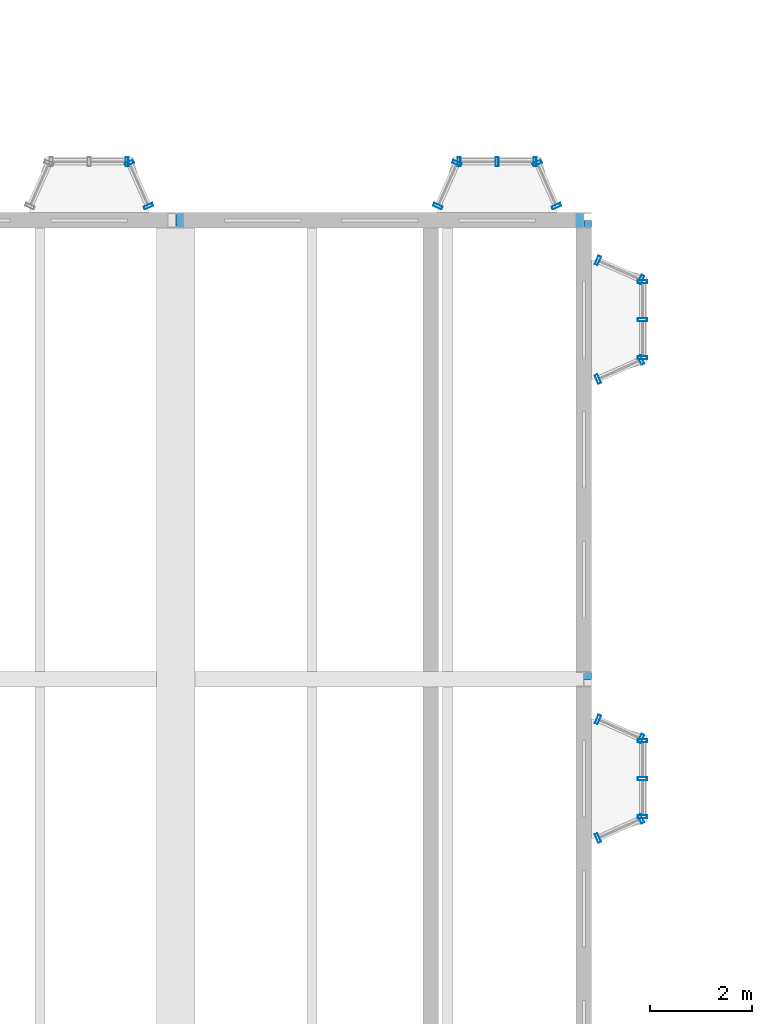
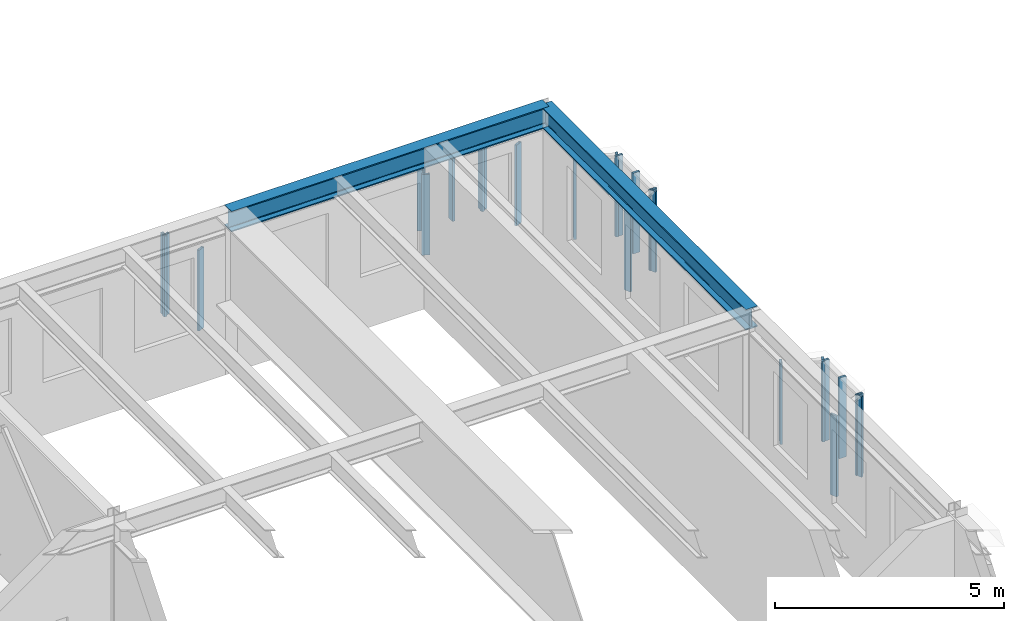
# One storey, part 24 of 153: 24 members, 2 beams, 11 elements without a shape of their own.
"""IFC4 building model written with IfcOpenShell, lengths in metres."""

from ifc_helpers import new_model, si_unit, direction, frame, origin, origin_2d, place, context, subcontext, project, spatial, hollow_rectangle, i_section, extrude, material, material_profile, profile_set, type_object, element, aggregate, save


model = new_model("IFC4")

# Units and contexts
model_context = context("Model", 3, precision=1e-05, world=origin(), true_north=direction((0.0, 1.0)))
body_context = subcontext(model_context, "Body", "Model", "MODEL_VIEW")
ifc_project = project(units=[si_unit("LENGTHUNIT", "METRE"), si_unit("AREAUNIT", "SQUARE_METRE"), si_unit("VOLUMEUNIT", "CUBIC_METRE"), si_unit("PLANEANGLEUNIT", "RADIAN"), si_unit("MASSUNIT", "GRAM", prefix="KILO")], contexts=[model_context])

# Site, building, storey
site_placement = place(None, origin())
site = spatial("IfcSite", under=ifc_project, at=site_placement, CompositionType="ELEMENT")
building_placement = place(site_placement, origin())
building = spatial("IfcBuilding", under=site, at=building_placement, Name="Kallimachos Central Library", CompositionType="ELEMENT")
storey_placement = place(building_placement, frame((0.0, 0.0, 5.39990234375)))
storey = spatial("IfcBuildingStorey", under=building, at=storey_placement, Name="L01", CompositionType="ELEMENT", Elevation=5.39990234375)

# Curtain wall, members
ifc_material_1 = material(Name="Laminated glass in anodised aluminium", Category="aluminium")
curtain_wall_type = type_object("IfcCurtainWallType", Name="Foyer curtain wall", PredefinedType="NOTDEFINED", material=ifc_material_1)
curtain_wall_1_placement = place(storey_placement, origin())
curtain_wall_1 = element("IfcCurtainWall", 1, at=curtain_wall_1_placement, inside=storey, type_object=curtain_wall_type, Name="Tribune bay return west", PredefinedType="NOTDEFINED")
ifc_material_2 = material(Name="Anodised aluminium", Category="aluminium")
ifc_material_profile_1 = material_profile(ifc_material_2, hollow_rectangle(XDim=0.06005859375, YDim=0.179931640625, WallThickness=0.00390625, at=origin_2d()), Name="ALU MULLION 60x180")
ifc_profile_set_1 = profile_set([ifc_material_profile_1], Name="Anodised aluminium")
member_type = type_object("IfcMemberType", Name="ALU MULLION 60x180 mullion", PredefinedType="MULLION", material=ifc_profile_set_1)
member_1_placement = place(storey_placement, frame((27.13720703125, 36.27734375, 1.10009765625), z_axis=(0.0, 0.0, 1.0), x_axis=(0.40613846606, 0.913811548617, 0.0)))
member_1 = element("IfcMember", 2, at=member_1_placement, type_object=member_type, Name="CW mullion 1", PredefinedType="MULLION", context=body_context, shape_type="SweptSolid", body=[
    extrude(hollow_rectangle(XDim=0.06005859375, YDim=0.179931640625, WallThickness=0.00390625, at=origin_2d()), origin(), (0.0, 0.0, 1.0), 2.14990234375),
])
member_2_placement = place(storey_placement, frame((27.5126953125, 37.12255859375, 1.10009765625), z_axis=(0.0, 0.0, 1.0), x_axis=(0.40613846606, 0.913811548617, 0.0)))
member_2 = element("IfcMember", 3, at=member_2_placement, type_object=member_type, Name="CW mullion 2", PredefinedType="MULLION", context=body_context, shape_type="SweptSolid", body=[
    extrude(hollow_rectangle(XDim=0.06005859375, YDim=0.179931640625, WallThickness=0.00390625, at=origin_2d()), origin(), (0.0, 0.0, 1.0), 2.14990234375),
])
aggregate(curtain_wall_1, [member_1, member_2])

curtain_wall_2_placement = place(storey_placement, origin())
curtain_wall_2 = element("IfcCurtainWall", 4, at=curtain_wall_2_placement, inside=storey, type_object=curtain_wall_type, Name="Tribune bay front", PredefinedType="NOTDEFINED")
member_3_placement = place(storey_placement, frame((27.554931640625, 37.14990234375, 1.10009765625), z_axis=(0.0, 0.0, 1.0), x_axis=(1.0, 0.0, 0.0)))
member_3 = element("IfcMember", 5, at=member_3_placement, type_object=member_type, Name="CW mullion 1", PredefinedType="MULLION", context=body_context, shape_type="SweptSolid", body=[
    extrude(hollow_rectangle(XDim=0.06005859375, YDim=0.179931640625, WallThickness=0.00390625, at=origin_2d()), origin(), (0.0, 0.0, 1.0), 2.14990234375),
])
member_4_placement = place(storey_placement, frame((28.300048828125, 37.14990234375, 1.10009765625), z_axis=(0.0, 0.0, 1.0), x_axis=(1.0, 0.0, 0.0)))
member_4 = element("IfcMember", 6, at=member_4_placement, type_object=member_type, Name="CW mullion 2", PredefinedType="MULLION", context=body_context, shape_type="SweptSolid", body=[
    extrude(hollow_rectangle(XDim=0.06005859375, YDim=0.179931640625, WallThickness=0.00390625, at=origin_2d()), origin(), (0.0, 0.0, 1.0), 2.14990234375),
])
member_5_placement = place(storey_placement, frame((29.044921875, 37.14990234375, 1.10009765625), z_axis=(0.0, 0.0, 1.0), x_axis=(1.0, 0.0, 0.0)))
member_5 = element("IfcMember", 7, at=member_5_placement, type_object=member_type, Name="CW mullion 3", PredefinedType="MULLION", context=body_context, shape_type="SweptSolid", body=[
    extrude(hollow_rectangle(XDim=0.06005859375, YDim=0.179931640625, WallThickness=0.00390625, at=origin_2d()), origin(), (0.0, 0.0, 1.0), 2.14990234375),
])
aggregate(curtain_wall_2, [member_3, member_4, member_5])

curtain_wall_3_placement = place(storey_placement, origin())
curtain_wall_3 = element("IfcCurtainWall", 8, at=curtain_wall_3_placement, inside=storey, type_object=curtain_wall_type, Name="Tribune bay return east", PredefinedType="NOTDEFINED")
member_6_placement = place(storey_placement, frame((29.087158203125, 37.12255859375, 1.10009765625), z_axis=(0.0, 0.0, 1.0), x_axis=(0.40613846606, -0.913811548617, 0.0)))
member_6 = element("IfcMember", 9, at=member_6_placement, type_object=member_type, Name="CW mullion 1", PredefinedType="MULLION", context=body_context, shape_type="SweptSolid", body=[
    extrude(hollow_rectangle(XDim=0.06005859375, YDim=0.179931640625, WallThickness=0.00390625, at=origin_2d()), origin(), (0.0, 0.0, 1.0), 2.14990234375),
])
member_7_placement = place(storey_placement, frame((29.462890625, 36.27734375, 1.10009765625), z_axis=(0.0, 0.0, 1.0), x_axis=(0.40613846606, -0.913811548617, 0.0)))
member_7 = element("IfcMember", 10, at=member_7_placement, type_object=member_type, Name="CW mullion 2", PredefinedType="MULLION", context=body_context, shape_type="SweptSolid", body=[
    extrude(hollow_rectangle(XDim=0.06005859375, YDim=0.179931640625, WallThickness=0.00390625, at=origin_2d()), origin(), (0.0, 0.0, 1.0), 2.14990234375),
])
aggregate(curtain_wall_3, [member_6, member_7])

curtain_wall_4_placement = place(storey_placement, origin())
curtain_wall_4 = element("IfcCurtainWall", 11, at=curtain_wall_4_placement, inside=storey, type_object=curtain_wall_type, Name="Tribune bay return west", PredefinedType="NOTDEFINED")
member_8_placement = place(storey_placement, frame((30.27734375, 32.88720703125, 1.10009765625), z_axis=(0.0, 0.0, 1.0), x_axis=(0.913811548617, 0.40613846606, 0.0)))
member_8 = element("IfcMember", 12, at=member_8_placement, type_object=member_type, Name="CW mullion 1", PredefinedType="MULLION", context=body_context, shape_type="SweptSolid", body=[
    extrude(hollow_rectangle(XDim=0.06005859375, YDim=0.179931640625, WallThickness=0.00390625, at=origin_2d()), origin(), (0.0, 0.0, 1.0), 2.14990234375),
])
member_9_placement = place(storey_placement, frame((31.12255859375, 33.2626953125, 1.10009765625), z_axis=(0.0, 0.0, 1.0), x_axis=(0.913811548617, 0.40613846606, 0.0)))
member_9 = element("IfcMember", 13, at=member_9_placement, type_object=member_type, Name="CW mullion 2", PredefinedType="MULLION", context=body_context, shape_type="SweptSolid", body=[
    extrude(hollow_rectangle(XDim=0.06005859375, YDim=0.179931640625, WallThickness=0.00390625, at=origin_2d()), origin(), (0.0, 0.0, 1.0), 2.14990234375),
])
aggregate(curtain_wall_4, [member_8, member_9])

curtain_wall_5_placement = place(storey_placement, origin())
curtain_wall_5 = element("IfcCurtainWall", 14, at=curtain_wall_5_placement, inside=storey, type_object=curtain_wall_type, Name="Tribune bay front", PredefinedType="NOTDEFINED")
member_10_placement = place(storey_placement, frame((31.14990234375, 33.304931640625, 1.10009765625), z_axis=(0.0, 0.0, 1.0), x_axis=(0.0, 1.0, 0.0)))
member_10 = element("IfcMember", 15, at=member_10_placement, type_object=member_type, Name="CW mullion 1", PredefinedType="MULLION", context=body_context, shape_type="SweptSolid", body=[
    extrude(hollow_rectangle(XDim=0.06005859375, YDim=0.179931640625, WallThickness=0.00390625, at=origin_2d()), origin(), (0.0, 0.0, 1.0), 2.14990234375),
])
member_11_placement = place(storey_placement, frame((31.14990234375, 34.050048828125, 1.10009765625), z_axis=(0.0, 0.0, 1.0), x_axis=(0.0, 1.0, 0.0)))
member_11 = element("IfcMember", 16, at=member_11_placement, type_object=member_type, Name="CW mullion 2", PredefinedType="MULLION", context=body_context, shape_type="SweptSolid", body=[
    extrude(hollow_rectangle(XDim=0.06005859375, YDim=0.179931640625, WallThickness=0.00390625, at=origin_2d()), origin(), (0.0, 0.0, 1.0), 2.14990234375),
])
member_12_placement = place(storey_placement, frame((31.14990234375, 34.794921875, 1.10009765625), z_axis=(0.0, 0.0, 1.0), x_axis=(0.0, 1.0, 0.0)))
member_12 = element("IfcMember", 17, at=member_12_placement, type_object=member_type, Name="CW mullion 3", PredefinedType="MULLION", context=body_context, shape_type="SweptSolid", body=[
    extrude(hollow_rectangle(XDim=0.06005859375, YDim=0.179931640625, WallThickness=0.00390625, at=origin_2d()), origin(), (0.0, 0.0, 1.0), 2.14990234375),
])
aggregate(curtain_wall_5, [member_10, member_11, member_12])

curtain_wall_6_placement = place(storey_placement, origin())
curtain_wall_6 = element("IfcCurtainWall", 18, at=curtain_wall_6_placement, inside=storey, type_object=curtain_wall_type, Name="Tribune bay return east", PredefinedType="NOTDEFINED")
member_13_placement = place(storey_placement, frame((31.12255859375, 34.837158203125, 1.10009765625), z_axis=(0.0, 0.0, 1.0), x_axis=(-0.913811548617, 0.40613846606, 0.0)))
member_13 = element("IfcMember", 19, at=member_13_placement, type_object=member_type, Name="CW mullion 1", PredefinedType="MULLION", context=body_context, shape_type="SweptSolid", body=[
    extrude(hollow_rectangle(XDim=0.06005859375, YDim=0.179931640625, WallThickness=0.00390625, at=origin_2d()), origin(), (0.0, 0.0, 1.0), 2.14990234375),
])
member_14_placement = place(storey_placement, frame((30.27734375, 35.212890625, 1.10009765625), z_axis=(0.0, 0.0, 1.0), x_axis=(-0.913811548617, 0.40613846606, 0.0)))
member_14 = element("IfcMember", 20, at=member_14_placement, type_object=member_type, Name="CW mullion 2", PredefinedType="MULLION", context=body_context, shape_type="SweptSolid", body=[
    extrude(hollow_rectangle(XDim=0.06005859375, YDim=0.179931640625, WallThickness=0.00390625, at=origin_2d()), origin(), (0.0, 0.0, 1.0), 2.14990234375),
])
aggregate(curtain_wall_6, [member_13, member_14])

# Curtain wall, member
curtain_wall_7_placement = place(storey_placement, origin())
curtain_wall_7 = element("IfcCurtainWall", 21, at=curtain_wall_7_placement, inside=storey, type_object=curtain_wall_type, Name="Tribune bay front", PredefinedType="NOTDEFINED")
member_15_placement = place(storey_placement, frame((21.044921875, 37.14990234375, 1.10009765625), z_axis=(0.0, 0.0, 1.0), x_axis=(1.0, 0.0, 0.0)))
member_15 = element("IfcMember", 22, at=member_15_placement, type_object=member_type, Name="CW mullion 3", PredefinedType="MULLION", context=body_context, shape_type="SweptSolid", body=[
    extrude(hollow_rectangle(XDim=0.06005859375, YDim=0.179931640625, WallThickness=0.00390625, at=origin_2d()), origin(), (0.0, 0.0, 1.0), 2.14990234375),
])
aggregate(curtain_wall_7, [member_15])

# Curtain wall, members
curtain_wall_8_placement = place(storey_placement, origin())
curtain_wall_8 = element("IfcCurtainWall", 23, at=curtain_wall_8_placement, inside=storey, type_object=curtain_wall_type, Name="Tribune bay return east", PredefinedType="NOTDEFINED")
member_16_placement = place(storey_placement, frame((21.087158203125, 37.12255859375, 1.10009765625), z_axis=(0.0, 0.0, 1.0), x_axis=(0.40613846606, -0.913811548617, 0.0)))
member_16 = element("IfcMember", 24, at=member_16_placement, type_object=member_type, Name="CW mullion 1", PredefinedType="MULLION", context=body_context, shape_type="SweptSolid", body=[
    extrude(hollow_rectangle(XDim=0.06005859375, YDim=0.179931640625, WallThickness=0.00390625, at=origin_2d()), origin(), (0.0, 0.0, 1.0), 2.14990234375),
])
member_17_placement = place(storey_placement, frame((21.462890625, 36.27734375, 1.10009765625), z_axis=(0.0, 0.0, 1.0), x_axis=(0.40613846606, -0.913811548617, 0.0)))
member_17 = element("IfcMember", 25, at=member_17_placement, type_object=member_type, Name="CW mullion 2", PredefinedType="MULLION", context=body_context, shape_type="SweptSolid", body=[
    extrude(hollow_rectangle(XDim=0.06005859375, YDim=0.179931640625, WallThickness=0.00390625, at=origin_2d()), origin(), (0.0, 0.0, 1.0), 2.14990234375),
])
aggregate(curtain_wall_8, [member_16, member_17])

curtain_wall_9_placement = place(storey_placement, origin())
curtain_wall_9 = element("IfcCurtainWall", 26, at=curtain_wall_9_placement, inside=storey, type_object=curtain_wall_type, Name="Tribune bay return west", PredefinedType="NOTDEFINED")
member_18_placement = place(storey_placement, frame((30.27734375, 23.88720703125, 1.10009765625), z_axis=(0.0, 0.0, 1.0), x_axis=(0.913811548617, 0.40613846606, 0.0)))
member_18 = element("IfcMember", 27, at=member_18_placement, type_object=member_type, Name="CW mullion 1", PredefinedType="MULLION", context=body_context, shape_type="SweptSolid", body=[
    extrude(hollow_rectangle(XDim=0.06005859375, YDim=0.179931640625, WallThickness=0.00390625, at=origin_2d()), origin(), (0.0, 0.0, 1.0), 2.14990234375),
])
member_19_placement = place(storey_placement, frame((31.12255859375, 24.2626953125, 1.10009765625), z_axis=(0.0, 0.0, 1.0), x_axis=(0.913811548617, 0.40613846606, 0.0)))
member_19 = element("IfcMember", 28, at=member_19_placement, type_object=member_type, Name="CW mullion 2", PredefinedType="MULLION", context=body_context, shape_type="SweptSolid", body=[
    extrude(hollow_rectangle(XDim=0.06005859375, YDim=0.179931640625, WallThickness=0.00390625, at=origin_2d()), origin(), (0.0, 0.0, 1.0), 2.14990234375),
])
aggregate(curtain_wall_9, [member_18, member_19])

curtain_wall_10_placement = place(storey_placement, origin())
curtain_wall_10 = element("IfcCurtainWall", 29, at=curtain_wall_10_placement, inside=storey, type_object=curtain_wall_type, Name="Tribune bay front", PredefinedType="NOTDEFINED")
member_20_placement = place(storey_placement, frame((31.14990234375, 24.304931640625, 1.10009765625), z_axis=(0.0, 0.0, 1.0), x_axis=(0.0, 1.0, 0.0)))
member_20 = element("IfcMember", 30, at=member_20_placement, type_object=member_type, Name="CW mullion 1", PredefinedType="MULLION", context=body_context, shape_type="SweptSolid", body=[
    extrude(hollow_rectangle(XDim=0.06005859375, YDim=0.179931640625, WallThickness=0.00390625, at=origin_2d()), origin(), (0.0, 0.0, 1.0), 2.14990234375),
])
member_21_placement = place(storey_placement, frame((31.14990234375, 25.050048828125, 1.10009765625), z_axis=(0.0, 0.0, 1.0), x_axis=(0.0, 1.0, 0.0)))
member_21 = element("IfcMember", 31, at=member_21_placement, type_object=member_type, Name="CW mullion 2", PredefinedType="MULLION", context=body_context, shape_type="SweptSolid", body=[
    extrude(hollow_rectangle(XDim=0.06005859375, YDim=0.179931640625, WallThickness=0.00390625, at=origin_2d()), origin(), (0.0, 0.0, 1.0), 2.14990234375),
])
member_22_placement = place(storey_placement, frame((31.14990234375, 25.794921875, 1.10009765625), z_axis=(0.0, 0.0, 1.0), x_axis=(0.0, 1.0, 0.0)))
member_22 = element("IfcMember", 32, at=member_22_placement, type_object=member_type, Name="CW mullion 3", PredefinedType="MULLION", context=body_context, shape_type="SweptSolid", body=[
    extrude(hollow_rectangle(XDim=0.06005859375, YDim=0.179931640625, WallThickness=0.00390625, at=origin_2d()), origin(), (0.0, 0.0, 1.0), 2.14990234375),
])
aggregate(curtain_wall_10, [member_20, member_21, member_22])

curtain_wall_11_placement = place(storey_placement, origin())
curtain_wall_11 = element("IfcCurtainWall", 33, at=curtain_wall_11_placement, inside=storey, type_object=curtain_wall_type, Name="Tribune bay return east", PredefinedType="NOTDEFINED")
member_23_placement = place(storey_placement, frame((31.12255859375, 25.837158203125, 1.10009765625), z_axis=(0.0, 0.0, 1.0), x_axis=(-0.913811548617, 0.40613846606, 0.0)))
member_23 = element("IfcMember", 34, at=member_23_placement, type_object=member_type, Name="CW mullion 1", PredefinedType="MULLION", context=body_context, shape_type="SweptSolid", body=[
    extrude(hollow_rectangle(XDim=0.06005859375, YDim=0.179931640625, WallThickness=0.00390625, at=origin_2d()), origin(), (0.0, 0.0, 1.0), 2.14990234375),
])
member_24_placement = place(storey_placement, frame((30.27734375, 26.212890625, 1.10009765625), z_axis=(0.0, 0.0, 1.0), x_axis=(-0.913811548617, 0.40613846606, 0.0)))
member_24 = element("IfcMember", 35, at=member_24_placement, type_object=member_type, Name="CW mullion 2", PredefinedType="MULLION", context=body_context, shape_type="SweptSolid", body=[
    extrude(hollow_rectangle(XDim=0.06005859375, YDim=0.179931640625, WallThickness=0.00390625, at=origin_2d()), origin(), (0.0, 0.0, 1.0), 2.14990234375),
])
aggregate(curtain_wall_11, [member_23, member_24])

# Beams
ifc_material_3 = material(Name="Steel S355J2", Category="steel")
ifc_material_profile_2 = material_profile(ifc_material_3, i_section(OverallWidth=0.300048828125, OverallDepth=0.550048828125, WebThickness=0.014892578125, FlangeThickness=0.029052734375, FilletRadius=0.027099609375, at=origin_2d()), Name="HEB 550")
ifc_profile_set_2 = profile_set([ifc_material_profile_2], Name="Steel S355J2")
beam_type = type_object("IfcBeamType", Name="HEB 550 beam", PredefinedType="BEAM", material=ifc_profile_set_2)
beam_1_placement = place(storey_placement, frame((22.0, 36.0, 4.025146484375), z_axis=(1.0, 0.0, 0.0), x_axis=(0.0, 1.0, 0.0)))
element("IfcBeam", 36, at=beam_1_placement, inside=storey, type_object=beam_type, Name="V6-BEM-L01-018", PredefinedType="BEAM", context=body_context, shape_type="SweptSolid", body=[
    extrude(i_section(OverallWidth=0.300048828125, OverallDepth=0.550048828125, WebThickness=0.014892578125, FlangeThickness=0.029052734375, FilletRadius=0.027099609375, at=origin_2d()), origin(), (0.0, 0.0, 1.0), 8.0),
])
beam_2_placement = place(storey_placement, frame((30.0, 27.0, 4.025146484375), z_axis=(0.0, 1.0, 0.0), x_axis=(-1.0, 0.0, 0.0)))
element("IfcBeam", 37, at=beam_2_placement, inside=storey, type_object=beam_type, Name="V6-BEM-L01-021", PredefinedType="BEAM", context=body_context, shape_type="SweptSolid", body=[
    extrude(i_section(OverallWidth=0.300048828125, OverallDepth=0.550048828125, WebThickness=0.014892578125, FlangeThickness=0.029052734375, FilletRadius=0.027099609375, at=origin_2d()), origin(), (0.0, 0.0, 1.0), 9.0),
])

save(model, "model.ifc")
